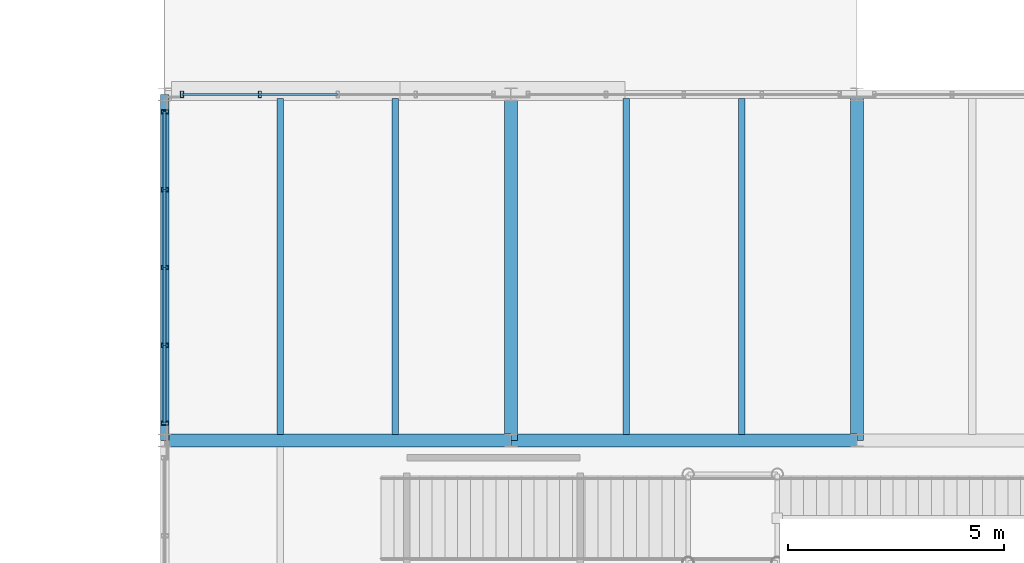
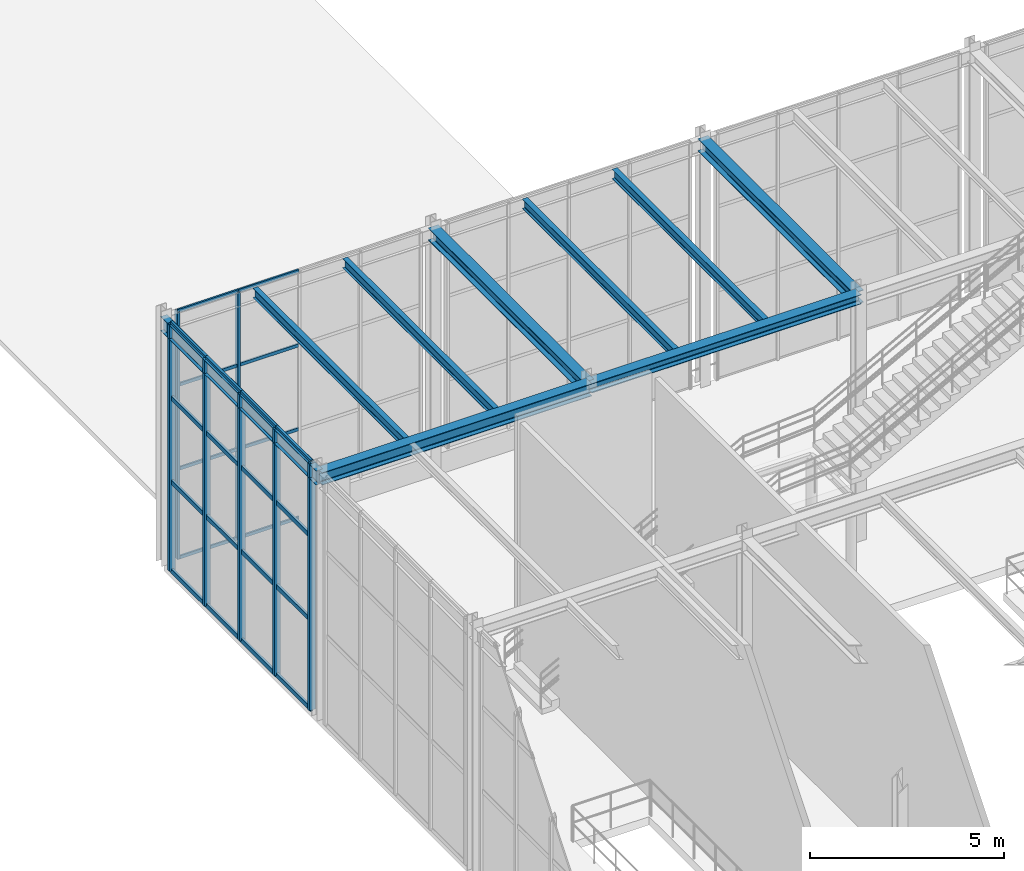
# One storey, part 48 of 138: 31 members, 9 beams, 2 elements without a shape of their own.
"""IFC4 building model written with IfcOpenShell, lengths in metres."""

from ifc_helpers import new_model, si_unit, direction, frame, origin, origin_2d, place, context, subcontext, project, spatial, hollow_rectangle, i_section, extrude, material, material_profile, profile_set, type_object, element, aggregate, save


model = new_model("IFC4")

# Units and contexts
model_context = context("Model", 3, precision=1e-05, world=origin(), true_north=direction((0.0, 1.0)))
body_context = subcontext(model_context, "Body", "Model", "MODEL_VIEW")
ifc_project = project(units=[si_unit("LENGTHUNIT", "METRE"), si_unit("AREAUNIT", "SQUARE_METRE"), si_unit("VOLUMEUNIT", "CUBIC_METRE"), si_unit("PLANEANGLEUNIT", "RADIAN"), si_unit("MASSUNIT", "GRAM", prefix="KILO")], contexts=[model_context])

# Site, building, storey
site_placement = place(None, origin())
site = spatial("IfcSite", under=ifc_project, at=site_placement, CompositionType="ELEMENT")
building_placement = place(site_placement, origin())
building = spatial("IfcBuilding", under=site, at=building_placement, Name="Sundkrona Museum", CompositionType="ELEMENT")
storey_placement = place(building_placement, frame((0.0, 0.0, 9.60009765625)))
storey = spatial("IfcBuildingStorey", under=building, at=storey_placement, Name="L02", CompositionType="ELEMENT", Elevation=9.60009765625)

# Beams
ifc_material_1 = material(Name="Steel S355J2", Category="steel")
ifc_material_profile_1 = material_profile(ifc_material_1, i_section(OverallWidth=0.300048828125, OverallDepth=0.389892578125, WebThickness=0.010986328125, FlangeThickness=0.01904296875, FilletRadius=0.027099609375, at=origin_2d()), Name="HEA 400")
ifc_profile_set_1 = profile_set([ifc_material_profile_1], Name="Steel S355J2")
beam_type_1 = type_object("IfcBeamType", Name="B-HEA400", PredefinedType="BEAM", material=ifc_profile_set_1)
for number, where, z_axis, x_axis, name in (
    (1, (80.0, 32.0, 7.544921875), (1.0, 0.0, 0.0), (0.0, 1.0, 0.0), "L02 Girder X-1151"),
    (2, (88.0, 32.0, 7.544921875), (0.0, 1.0, 0.0), (-1.0, 0.0, 0.0), "L02 Girder Y-1316"),
    (3, (96.0, 32.0, 7.544921875), (0.0, 1.0, 0.0), (-1.0, 0.0, 0.0), "L02 Girder Y-1318"),
):
    element("IfcBeam", number, at=place(storey_placement, frame(where, z_axis=z_axis, x_axis=x_axis)), inside=storey, type_object=beam_type_1, Name=name, PredefinedType="BEAM", context=body_context, shape_type="SweptSolid", body=[
        extrude(i_section(OverallWidth=0.300048828125, OverallDepth=0.389892578125, WebThickness=0.010986328125, FlangeThickness=0.01904296875, FilletRadius=0.027099609375, at=origin_2d()), origin(), (0.0, 0.0, 1.0), 8.0),
    ])
ifc_material_profile_2 = material_profile(ifc_material_1, i_section(OverallWidth=0.300048828125, OverallDepth=0.300048828125, WebThickness=0.010986328125, FlangeThickness=0.01904296875, FilletRadius=0.027099609375, at=origin_2d()), Name="HEB 300")
ifc_profile_set_2 = profile_set([ifc_material_profile_2], Name="Steel S355J2")
beam_type_2 = type_object("IfcBeamType", Name="B-HEB300", PredefinedType="BEAM", material=ifc_profile_set_2)
beam_1_placement = place(storey_placement, frame((88.0, 32.0, 7.58984375), z_axis=(1.0, 0.0, 0.0), x_axis=(0.0, 1.0, 0.0)))
element("IfcBeam", 4, at=beam_1_placement, inside=storey, type_object=beam_type_2, Name="L02 Girder X-1152", PredefinedType="BEAM", context=body_context, shape_type="SweptSolid", body=[
    extrude(i_section(OverallWidth=0.300048828125, OverallDepth=0.300048828125, WebThickness=0.010986328125, FlangeThickness=0.01904296875, FilletRadius=0.027099609375, at=origin_2d()), origin(), (0.0, 0.0, 1.0), 8.0),
])
ifc_material_profile_3 = material_profile(ifc_material_1, i_section(OverallWidth=0.14990234375, OverallDepth=0.300048828125, WebThickness=0.007080078125, FlangeThickness=0.0107421875, FilletRadius=0.014892578125, at=origin_2d()), Name="IPE 300")
ifc_profile_set_3 = profile_set([ifc_material_profile_3], Name="Steel S355J2")
beam_type_3 = type_object("IfcBeamType", Name="J-IPE300", PredefinedType="JOIST", material=ifc_profile_set_3)
for number, where, z_axis, x_axis, name in (
    (5, (82.666748046875, 32.14404296875, 7.58984375), (0.0, 1.0, 0.0), (-1.0, 0.0, 0.0), "L02 Composite Joist 0837"),
    (6, (85.333251953125, 32.14404296875, 7.58984375), (0.0, 1.0, 0.0), (-1.0, 0.0, 0.0), "L02 Composite Joist 0838"),
    (7, (90.666748046875, 32.14404296875, 7.58984375), (0.0, 1.0, 0.0), (-1.0, 0.0, 0.0), "L02 Composite Joist 0841"),
    (8, (93.333251953125, 32.14404296875, 7.58984375), (0.0, 1.0, 0.0), (-1.0, 0.0, 0.0), "L02 Composite Joist 0842"),
):
    element("IfcBeam", number, at=place(storey_placement, frame(where, z_axis=z_axis, x_axis=x_axis)), inside=storey, type_object=beam_type_3, Name=name, PredefinedType="JOIST", context=body_context, shape_type="SweptSolid", body=[
        extrude(i_section(OverallWidth=0.14990234375, OverallDepth=0.300048828125, WebThickness=0.007080078125, FlangeThickness=0.0107421875, FilletRadius=0.014892578125, at=origin_2d()), origin(), (0.0, 0.0, 1.0), 7.766845703125),
    ])

# Curtain wall, members
ifc_material_2 = material(Name="Unitised Aluminium-Steel and Ceramic-Clad Curtain Walling", Category="steel")
curtain_wall_type = type_object("IfcCurtainWallType", Name="CW-AT-72x74", PredefinedType="NOTDEFINED", material=ifc_material_2)
curtain_wall_1_placement = place(storey_placement, origin())
curtain_wall_1 = element("IfcCurtainWall", 9, at=curtain_wall_1_placement, inside=storey, type_object=curtain_wall_type, Name="L02 Curtain Wall CW-L02-053", PredefinedType="NOTDEFINED")
ifc_material_3 = material(Name="Aluminium EN AW-6060 T66", Category="aluminium")
ifc_material_profile_4 = material_profile(ifc_material_3, hollow_rectangle(XDim=0.074951171875, YDim=0.14990234375, WallThickness=0.00634765625, at=origin_2d()), Name="RHS 150x75x6.3")
ifc_profile_set_4 = profile_set([ifc_material_profile_4], Name="Aluminium EN AW-6060 T66")
member_type_1 = type_object("IfcMemberType", Name="ML-150", PredefinedType="MULLION", material=ifc_profile_set_4)
member_1_placement = place(storey_placement, frame((80.39990234375, 40.0, -0.004150390625), z_axis=(0.0, 0.0, 1.0), x_axis=(1.0, 0.0, 0.0)))
member_1 = element("IfcMember", 10, at=member_1_placement, type_object=member_type_1, Name="CW-L02-053 Mullion 01", PredefinedType="MULLION", context=body_context, shape_type="SweptSolid", body=[
    extrude(hollow_rectangle(XDim=0.074951171875, YDim=0.14990234375, WallThickness=0.00634765625, at=origin_2d()), origin(), (0.0, 0.0, 1.0), 7.748046875),
])
member_2_placement = place(storey_placement, frame((82.199951171875, 40.0, -0.004150390625), z_axis=(0.0, 0.0, 1.0), x_axis=(1.0, 0.0, 0.0)))
member_2 = element("IfcMember", 11, at=member_2_placement, type_object=member_type_1, Name="CW-L02-053 Mullion 02", PredefinedType="MULLION", context=body_context, shape_type="SweptSolid", body=[
    extrude(hollow_rectangle(XDim=0.074951171875, YDim=0.14990234375, WallThickness=0.00634765625, at=origin_2d()), origin(), (0.0, 0.0, 1.0), 7.748046875),
])

curtain_wall_2_placement = place(storey_placement, origin())
curtain_wall_2 = element("IfcCurtainWall", 12, at=curtain_wall_2_placement, inside=storey, type_object=curtain_wall_type, Name="L02 Curtain Wall CW-L02-052", PredefinedType="NOTDEFINED")
ifc_material_profile_5 = material_profile(ifc_material_3, hollow_rectangle(XDim=0.090087890625, YDim=0.179931640625, WallThickness=0.00634765625, at=origin_2d()), Name="RHS 180x90x6.3")
ifc_profile_set_5 = profile_set([ifc_material_profile_5], Name="Aluminium EN AW-6060 T66")
member_type_2 = type_object("IfcMemberType", Name="ML-180", PredefinedType="MULLION", material=ifc_profile_set_5)
member_3_placement = place(storey_placement, frame((80.0, 32.39990234375, -0.004150390625), z_axis=(0.0, 0.0, 1.0), x_axis=(0.0, 1.0, 0.0)))
member_3 = element("IfcMember", 13, at=member_3_placement, type_object=member_type_2, Name="CW-L02-052 Mullion 01", PredefinedType="MULLION", context=body_context, shape_type="SweptSolid", body=[
    extrude(hollow_rectangle(XDim=0.090087890625, YDim=0.179931640625, WallThickness=0.00634765625, at=origin_2d()), origin(), (0.0, 0.0, 1.0), 7.748046875),
])
member_4_placement = place(storey_placement, frame((80.0, 34.199951171875, -0.004150390625), z_axis=(0.0, 0.0, 1.0), x_axis=(0.0, 1.0, 0.0)))
member_4 = element("IfcMember", 14, at=member_4_placement, type_object=member_type_2, Name="CW-L02-052 Mullion 02", PredefinedType="MULLION", context=body_context, shape_type="SweptSolid", body=[
    extrude(hollow_rectangle(XDim=0.090087890625, YDim=0.179931640625, WallThickness=0.00634765625, at=origin_2d()), origin(), (0.0, 0.0, 1.0), 7.748046875),
])
member_5_placement = place(storey_placement, frame((80.0, 36.0, -0.004150390625), z_axis=(0.0, 0.0, 1.0), x_axis=(0.0, 1.0, 0.0)))
member_5 = element("IfcMember", 15, at=member_5_placement, type_object=member_type_2, Name="CW-L02-052 Mullion 03", PredefinedType="MULLION", context=body_context, shape_type="SweptSolid", body=[
    extrude(hollow_rectangle(XDim=0.090087890625, YDim=0.179931640625, WallThickness=0.00634765625, at=origin_2d()), origin(), (0.0, 0.0, 1.0), 7.748046875),
])
member_6_placement = place(storey_placement, frame((80.0, 37.800048828125, -0.004150390625), z_axis=(0.0, 0.0, 1.0), x_axis=(0.0, 1.0, 0.0)))
member_6 = element("IfcMember", 16, at=member_6_placement, type_object=member_type_2, Name="CW-L02-052 Mullion 04", PredefinedType="MULLION", context=body_context, shape_type="SweptSolid", body=[
    extrude(hollow_rectangle(XDim=0.090087890625, YDim=0.179931640625, WallThickness=0.00634765625, at=origin_2d()), origin(), (0.0, 0.0, 1.0), 7.748046875),
])
member_7_placement = place(storey_placement, frame((80.0, 39.60009765625, -0.004150390625), z_axis=(0.0, 0.0, 1.0), x_axis=(0.0, 1.0, 0.0)))
member_7 = element("IfcMember", 17, at=member_7_placement, type_object=member_type_2, Name="CW-L02-052 Mullion 05", PredefinedType="MULLION", context=body_context, shape_type="SweptSolid", body=[
    extrude(hollow_rectangle(XDim=0.090087890625, YDim=0.179931640625, WallThickness=0.00634765625, at=origin_2d()), origin(), (0.0, 0.0, 1.0), 7.748046875),
])

# Beam
ifc_material_profile_6 = material_profile(ifc_material_1, i_section(OverallWidth=0.18994140625, OverallDepth=0.449951171875, WebThickness=0.009521484375, FlangeThickness=0.0146484375, FilletRadius=0.02099609375, at=origin_2d()), Name="IPE 450")
ifc_profile_set_6 = profile_set([ifc_material_profile_6], Name="Steel S355J2")
beam_type_4 = type_object("IfcBeamType", Name="SP-IPE450", PredefinedType="SPANDREL", material=ifc_profile_set_6)
beam_2_placement = place(storey_placement, frame((80.0, 32.0, 7.514892578125), z_axis=(0.0, 1.0, 0.0), x_axis=(-1.0, 0.0, 0.0)))
element("IfcBeam", 18, at=beam_2_placement, inside=storey, type_object=beam_type_4, Name="L02 Girder Y-1307", PredefinedType="SPANDREL", context=body_context, shape_type="SweptSolid", body=[
    extrude(i_section(OverallWidth=0.18994140625, OverallDepth=0.449951171875, WebThickness=0.009521484375, FlangeThickness=0.0146484375, FilletRadius=0.02099609375, at=origin_2d()), origin(), (0.0, 0.0, 1.0), 8.0),
])

# Member
ifc_material_profile_7 = material_profile(ifc_material_3, hollow_rectangle(XDim=0.050048828125, YDim=0.10009765625, WallThickness=0.0048828125, at=origin_2d()), Name="RHS 100x50x5.0")
ifc_profile_set_7 = profile_set([ifc_material_profile_7], Name="Aluminium EN AW-6060 T66")
member_type_3 = type_object("IfcMemberType", Name="TR-100", PredefinedType="USERDEFINED", material=ifc_profile_set_7)
member_8_placement = place(storey_placement, frame((80.39990234375, 40.0, -0.004150390625), z_axis=(1.0, 0.0, 0.0), x_axis=(0.0, 1.0, 0.0)))
member_8 = element("IfcMember", 19, at=member_8_placement, type_object=member_type_3, Name="CW-L02-053 Transom 01", ObjectType="TRANSOM", PredefinedType="USERDEFINED", context=body_context, shape_type="SweptSolid", body=[
    extrude(hollow_rectangle(XDim=0.050048828125, YDim=0.10009765625, WallThickness=0.0048828125, at=origin_2d()), origin(), (0.0, 0.0, 1.0), 1.800048828125),
])

member_9_placement = place(storey_placement, frame((80.39990234375, 40.0, 2.785888671875), z_axis=(1.0, 0.0, 0.0), x_axis=(0.0, 1.0, 0.0)))
member_9 = element("IfcMember", 20, at=member_9_placement, type_object=member_type_3, Name="CW-L02-053 Transom 02", ObjectType="TRANSOM", PredefinedType="USERDEFINED", context=body_context, shape_type="SweptSolid", body=[
    extrude(hollow_rectangle(XDim=0.050048828125, YDim=0.10009765625, WallThickness=0.0048828125, at=origin_2d()), origin(), (0.0, 0.0, 1.0), 1.800048828125),
])

member_10_placement = place(storey_placement, frame((80.39990234375, 40.0, 5.41796875), z_axis=(1.0, 0.0, 0.0), x_axis=(0.0, 1.0, 0.0)))
member_10 = element("IfcMember", 21, at=member_10_placement, type_object=member_type_3, Name="CW-L02-053 Transom 03", ObjectType="TRANSOM", PredefinedType="USERDEFINED", context=body_context, shape_type="SweptSolid", body=[
    extrude(hollow_rectangle(XDim=0.050048828125, YDim=0.10009765625, WallThickness=0.0048828125, at=origin_2d()), origin(), (0.0, 0.0, 1.0), 1.800048828125),
])

member_11_placement = place(storey_placement, frame((80.39990234375, 40.0, 7.743896484375), z_axis=(1.0, 0.0, 0.0), x_axis=(0.0, 1.0, 0.0)))
member_11 = element("IfcMember", 22, at=member_11_placement, type_object=member_type_3, Name="CW-L02-053 Transom 04", ObjectType="TRANSOM", PredefinedType="USERDEFINED", context=body_context, shape_type="SweptSolid", body=[
    extrude(hollow_rectangle(XDim=0.050048828125, YDim=0.10009765625, WallThickness=0.0048828125, at=origin_2d()), origin(), (0.0, 0.0, 1.0), 1.800048828125),
])

member_12_placement = place(storey_placement, frame((82.199951171875, 40.0, -0.004150390625), z_axis=(1.0, 0.0, 0.0), x_axis=(0.0, 1.0, 0.0)))
member_12 = element("IfcMember", 23, at=member_12_placement, type_object=member_type_3, Name="CW-L02-053 Transom 05", ObjectType="TRANSOM", PredefinedType="USERDEFINED", context=body_context, shape_type="SweptSolid", body=[
    extrude(hollow_rectangle(XDim=0.050048828125, YDim=0.10009765625, WallThickness=0.0048828125, at=origin_2d()), origin(), (0.0, 0.0, 1.0), 1.800048828125),
])

member_13_placement = place(storey_placement, frame((82.199951171875, 40.0, 2.785888671875), z_axis=(1.0, 0.0, 0.0), x_axis=(0.0, 1.0, 0.0)))
member_13 = element("IfcMember", 24, at=member_13_placement, type_object=member_type_3, Name="CW-L02-053 Transom 06", ObjectType="TRANSOM", PredefinedType="USERDEFINED", context=body_context, shape_type="SweptSolid", body=[
    extrude(hollow_rectangle(XDim=0.050048828125, YDim=0.10009765625, WallThickness=0.0048828125, at=origin_2d()), origin(), (0.0, 0.0, 1.0), 1.800048828125),
])

member_14_placement = place(storey_placement, frame((82.199951171875, 40.0, 5.41796875), z_axis=(1.0, 0.0, 0.0), x_axis=(0.0, 1.0, 0.0)))
member_14 = element("IfcMember", 25, at=member_14_placement, type_object=member_type_3, Name="CW-L02-053 Transom 07", ObjectType="TRANSOM", PredefinedType="USERDEFINED", context=body_context, shape_type="SweptSolid", body=[
    extrude(hollow_rectangle(XDim=0.050048828125, YDim=0.10009765625, WallThickness=0.0048828125, at=origin_2d()), origin(), (0.0, 0.0, 1.0), 1.800048828125),
])

member_15_placement = place(storey_placement, frame((82.199951171875, 40.0, 7.743896484375), z_axis=(1.0, 0.0, 0.0), x_axis=(0.0, 1.0, 0.0)))
member_15 = element("IfcMember", 26, at=member_15_placement, type_object=member_type_3, Name="CW-L02-053 Transom 08", ObjectType="TRANSOM", PredefinedType="USERDEFINED", context=body_context, shape_type="SweptSolid", body=[
    extrude(hollow_rectangle(XDim=0.050048828125, YDim=0.10009765625, WallThickness=0.0048828125, at=origin_2d()), origin(), (0.0, 0.0, 1.0), 1.800048828125),
])

aggregate(curtain_wall_1, [member_1, member_2, member_8, member_9, member_10, member_11, member_12, member_13, member_14, member_15])

ifc_material_profile_8 = material_profile(ifc_material_3, hollow_rectangle(XDim=0.070068359375, YDim=0.139892578125, WallThickness=0.0048828125, at=origin_2d()), Name="RHS 140x70x5.0")
ifc_profile_set_8 = profile_set([ifc_material_profile_8], Name="Aluminium EN AW-6060 T66")
member_type_4 = type_object("IfcMemberType", Name="TR-140", PredefinedType="USERDEFINED", material=ifc_profile_set_8)
member_16_placement = place(storey_placement, frame((80.0, 32.39990234375, -0.004150390625), z_axis=(0.0, 1.0, 0.0), x_axis=(-1.0, 0.0, 0.0)))
member_16 = element("IfcMember", 27, at=member_16_placement, type_object=member_type_4, Name="CW-L02-052 Transom 01", ObjectType="TRANSOM", PredefinedType="USERDEFINED", context=body_context, shape_type="SweptSolid", body=[
    extrude(hollow_rectangle(XDim=0.070068359375, YDim=0.139892578125, WallThickness=0.0048828125, at=origin_2d()), origin(), (0.0, 0.0, 1.0), 1.800048828125),
])

member_17_placement = place(storey_placement, frame((80.0, 32.39990234375, 2.785888671875), z_axis=(0.0, 1.0, 0.0), x_axis=(-1.0, 0.0, 0.0)))
member_17 = element("IfcMember", 28, at=member_17_placement, type_object=member_type_4, Name="CW-L02-052 Transom 02", ObjectType="TRANSOM", PredefinedType="USERDEFINED", context=body_context, shape_type="SweptSolid", body=[
    extrude(hollow_rectangle(XDim=0.070068359375, YDim=0.139892578125, WallThickness=0.0048828125, at=origin_2d()), origin(), (0.0, 0.0, 1.0), 1.800048828125),
])

member_18_placement = place(storey_placement, frame((80.0, 32.39990234375, 5.41796875), z_axis=(0.0, 1.0, 0.0), x_axis=(-1.0, 0.0, 0.0)))
member_18 = element("IfcMember", 29, at=member_18_placement, type_object=member_type_4, Name="CW-L02-052 Transom 03", ObjectType="TRANSOM", PredefinedType="USERDEFINED", context=body_context, shape_type="SweptSolid", body=[
    extrude(hollow_rectangle(XDim=0.070068359375, YDim=0.139892578125, WallThickness=0.0048828125, at=origin_2d()), origin(), (0.0, 0.0, 1.0), 1.800048828125),
])

member_19_placement = place(storey_placement, frame((80.0, 32.39990234375, 7.743896484375), z_axis=(0.0, 1.0, 0.0), x_axis=(-1.0, 0.0, 0.0)))
member_19 = element("IfcMember", 30, at=member_19_placement, type_object=member_type_4, Name="CW-L02-052 Transom 04", ObjectType="TRANSOM", PredefinedType="USERDEFINED", context=body_context, shape_type="SweptSolid", body=[
    extrude(hollow_rectangle(XDim=0.070068359375, YDim=0.139892578125, WallThickness=0.0048828125, at=origin_2d()), origin(), (0.0, 0.0, 1.0), 1.800048828125),
])

member_20_placement = place(storey_placement, frame((80.0, 34.199951171875, -0.004150390625), z_axis=(0.0, 1.0, 0.0), x_axis=(-1.0, 0.0, 0.0)))
member_20 = element("IfcMember", 31, at=member_20_placement, type_object=member_type_4, Name="CW-L02-052 Transom 05", ObjectType="TRANSOM", PredefinedType="USERDEFINED", context=body_context, shape_type="SweptSolid", body=[
    extrude(hollow_rectangle(XDim=0.070068359375, YDim=0.139892578125, WallThickness=0.0048828125, at=origin_2d()), origin(), (0.0, 0.0, 1.0), 1.800048828125),
])

member_21_placement = place(storey_placement, frame((80.0, 34.199951171875, 2.785888671875), z_axis=(0.0, 1.0, 0.0), x_axis=(-1.0, 0.0, 0.0)))
member_21 = element("IfcMember", 32, at=member_21_placement, type_object=member_type_4, Name="CW-L02-052 Transom 06", ObjectType="TRANSOM", PredefinedType="USERDEFINED", context=body_context, shape_type="SweptSolid", body=[
    extrude(hollow_rectangle(XDim=0.070068359375, YDim=0.139892578125, WallThickness=0.0048828125, at=origin_2d()), origin(), (0.0, 0.0, 1.0), 1.800048828125),
])

member_22_placement = place(storey_placement, frame((80.0, 34.199951171875, 5.41796875), z_axis=(0.0, 1.0, 0.0), x_axis=(-1.0, 0.0, 0.0)))
member_22 = element("IfcMember", 33, at=member_22_placement, type_object=member_type_4, Name="CW-L02-052 Transom 07", ObjectType="TRANSOM", PredefinedType="USERDEFINED", context=body_context, shape_type="SweptSolid", body=[
    extrude(hollow_rectangle(XDim=0.070068359375, YDim=0.139892578125, WallThickness=0.0048828125, at=origin_2d()), origin(), (0.0, 0.0, 1.0), 1.800048828125),
])

member_23_placement = place(storey_placement, frame((80.0, 34.199951171875, 7.743896484375), z_axis=(0.0, 1.0, 0.0), x_axis=(-1.0, 0.0, 0.0)))
member_23 = element("IfcMember", 34, at=member_23_placement, type_object=member_type_4, Name="CW-L02-052 Transom 08", ObjectType="TRANSOM", PredefinedType="USERDEFINED", context=body_context, shape_type="SweptSolid", body=[
    extrude(hollow_rectangle(XDim=0.070068359375, YDim=0.139892578125, WallThickness=0.0048828125, at=origin_2d()), origin(), (0.0, 0.0, 1.0), 1.800048828125),
])

member_24_placement = place(storey_placement, frame((80.0, 36.0, -0.004150390625), z_axis=(0.0, 1.0, 0.0), x_axis=(-1.0, 0.0, 0.0)))
member_24 = element("IfcMember", 35, at=member_24_placement, type_object=member_type_4, Name="CW-L02-052 Transom 09", ObjectType="TRANSOM", PredefinedType="USERDEFINED", context=body_context, shape_type="SweptSolid", body=[
    extrude(hollow_rectangle(XDim=0.070068359375, YDim=0.139892578125, WallThickness=0.0048828125, at=origin_2d()), origin(), (0.0, 0.0, 1.0), 1.800048828125),
])

member_25_placement = place(storey_placement, frame((80.0, 36.0, 2.785888671875), z_axis=(0.0, 1.0, 0.0), x_axis=(-1.0, 0.0, 0.0)))
member_25 = element("IfcMember", 36, at=member_25_placement, type_object=member_type_4, Name="CW-L02-052 Transom 10", ObjectType="TRANSOM", PredefinedType="USERDEFINED", context=body_context, shape_type="SweptSolid", body=[
    extrude(hollow_rectangle(XDim=0.070068359375, YDim=0.139892578125, WallThickness=0.0048828125, at=origin_2d()), origin(), (0.0, 0.0, 1.0), 1.800048828125),
])

member_26_placement = place(storey_placement, frame((80.0, 36.0, 5.41796875), z_axis=(0.0, 1.0, 0.0), x_axis=(-1.0, 0.0, 0.0)))
member_26 = element("IfcMember", 37, at=member_26_placement, type_object=member_type_4, Name="CW-L02-052 Transom 11", ObjectType="TRANSOM", PredefinedType="USERDEFINED", context=body_context, shape_type="SweptSolid", body=[
    extrude(hollow_rectangle(XDim=0.070068359375, YDim=0.139892578125, WallThickness=0.0048828125, at=origin_2d()), origin(), (0.0, 0.0, 1.0), 1.800048828125),
])

member_27_placement = place(storey_placement, frame((80.0, 36.0, 7.743896484375), z_axis=(0.0, 1.0, 0.0), x_axis=(-1.0, 0.0, 0.0)))
member_27 = element("IfcMember", 38, at=member_27_placement, type_object=member_type_4, Name="CW-L02-052 Transom 12", ObjectType="TRANSOM", PredefinedType="USERDEFINED", context=body_context, shape_type="SweptSolid", body=[
    extrude(hollow_rectangle(XDim=0.070068359375, YDim=0.139892578125, WallThickness=0.0048828125, at=origin_2d()), origin(), (0.0, 0.0, 1.0), 1.800048828125),
])

member_28_placement = place(storey_placement, frame((80.0, 37.800048828125, -0.004150390625), z_axis=(0.0, 1.0, 0.0), x_axis=(-1.0, 0.0, 0.0)))
member_28 = element("IfcMember", 39, at=member_28_placement, type_object=member_type_4, Name="CW-L02-052 Transom 13", ObjectType="TRANSOM", PredefinedType="USERDEFINED", context=body_context, shape_type="SweptSolid", body=[
    extrude(hollow_rectangle(XDim=0.070068359375, YDim=0.139892578125, WallThickness=0.0048828125, at=origin_2d()), origin(), (0.0, 0.0, 1.0), 1.800048828125),
])

member_29_placement = place(storey_placement, frame((80.0, 37.800048828125, 2.785888671875), z_axis=(0.0, 1.0, 0.0), x_axis=(-1.0, 0.0, 0.0)))
member_29 = element("IfcMember", 40, at=member_29_placement, type_object=member_type_4, Name="CW-L02-052 Transom 14", ObjectType="TRANSOM", PredefinedType="USERDEFINED", context=body_context, shape_type="SweptSolid", body=[
    extrude(hollow_rectangle(XDim=0.070068359375, YDim=0.139892578125, WallThickness=0.0048828125, at=origin_2d()), origin(), (0.0, 0.0, 1.0), 1.800048828125),
])

member_30_placement = place(storey_placement, frame((80.0, 37.800048828125, 5.41796875), z_axis=(0.0, 1.0, 0.0), x_axis=(-1.0, 0.0, 0.0)))
member_30 = element("IfcMember", 41, at=member_30_placement, type_object=member_type_4, Name="CW-L02-052 Transom 15", ObjectType="TRANSOM", PredefinedType="USERDEFINED", context=body_context, shape_type="SweptSolid", body=[
    extrude(hollow_rectangle(XDim=0.070068359375, YDim=0.139892578125, WallThickness=0.0048828125, at=origin_2d()), origin(), (0.0, 0.0, 1.0), 1.800048828125),
])

member_31_placement = place(storey_placement, frame((80.0, 37.800048828125, 7.743896484375), z_axis=(0.0, 1.0, 0.0), x_axis=(-1.0, 0.0, 0.0)))
member_31 = element("IfcMember", 42, at=member_31_placement, type_object=member_type_4, Name="CW-L02-052 Transom 16", ObjectType="TRANSOM", PredefinedType="USERDEFINED", context=body_context, shape_type="SweptSolid", body=[
    extrude(hollow_rectangle(XDim=0.070068359375, YDim=0.139892578125, WallThickness=0.0048828125, at=origin_2d()), origin(), (0.0, 0.0, 1.0), 1.800048828125),
])

aggregate(curtain_wall_2, [member_3, member_4, member_5, member_6, member_7, member_16, member_17, member_18, member_19, member_20, member_21, member_22, member_23, member_24, member_25, member_26, member_27, member_28, member_29, member_30, member_31])

save(model, "model.ifc")
